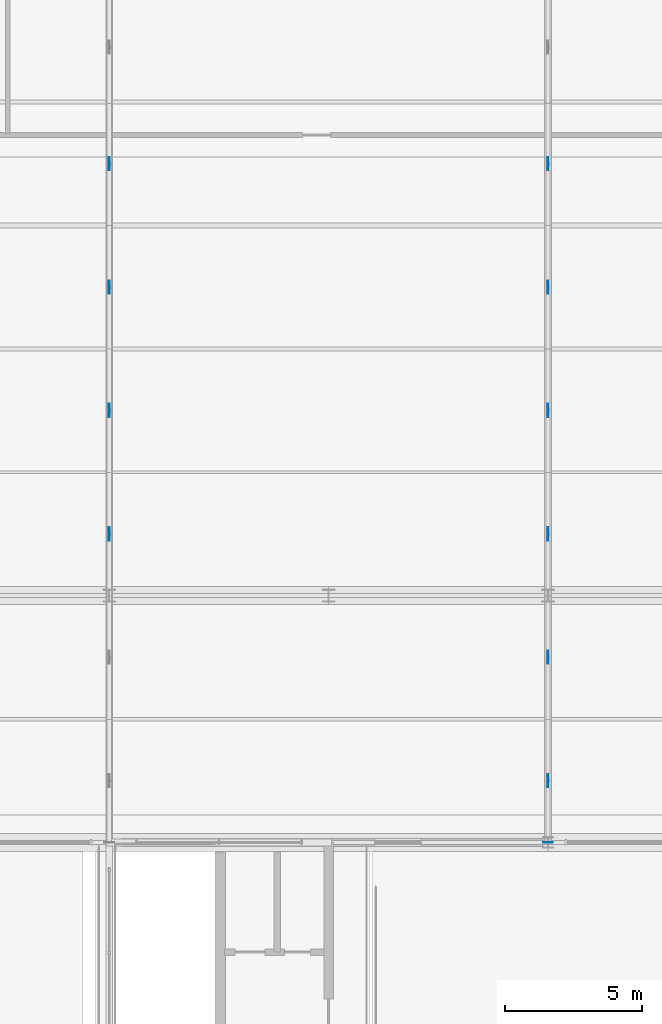
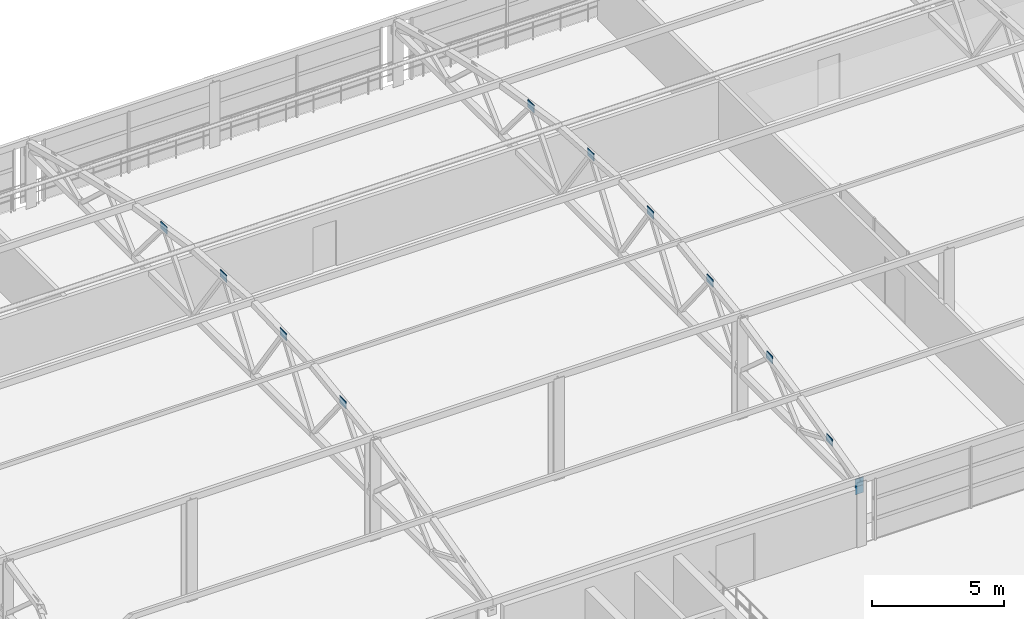
# One storey, part 31 of 50: 12 plates.
"""IFC4 building model written with IfcOpenShell, lengths in metres."""

from ifc_helpers import new_model, si_unit, derived_unit, direction, frame, origin, origin_2d, place, context, subcontext, project, spatial, rectangle, extrude, material, layer, layer_set, type_object, element, save


model = new_model("IFC4")

# Units and contexts
model_context = context("Model", 3, precision=1e-05, world=origin(), true_north=direction((0.0, 1.0)))
body_context = subcontext(model_context, "Body", "Model", "MODEL_VIEW")
ifc_project = project(units=[si_unit("LENGTHUNIT", "METRE"), si_unit("AREAUNIT", "SQUARE_METRE"), si_unit("VOLUMEUNIT", "CUBIC_METRE"), si_unit("PLANEANGLEUNIT", "RADIAN"), si_unit("MASSUNIT", "GRAM", prefix="KILO"), si_unit("THERMODYNAMICTEMPERATUREUNIT", "KELVIN"), derived_unit("THERMALTRANSMITTANCEUNIT", [(si_unit("POWERUNIT", "WATT"), 1), (si_unit("AREAUNIT", "SQUARE_METRE"), -1), (si_unit("THERMODYNAMICTEMPERATUREUNIT", "KELVIN"), -1)])], contexts=[model_context])

# Site, building, storey
site_placement = place(None, origin())
site = spatial("IfcSite", under=ifc_project, at=site_placement, CompositionType="ELEMENT")
building_placement = place(site_placement, origin())
building = spatial("IfcBuilding", under=site, at=building_placement, Name="Haiyu Intermodal Mobility Hub", CompositionType="ELEMENT")
storey_placement = place(building_placement, frame((0.0, 0.0, 25.10009765625)))
storey = spatial("IfcBuildingStorey", under=building, at=storey_placement, Name="L06", CompositionType="ELEMENT", Elevation=25.10009765625)

# Plates
ifc_material = material(Name="Steel Q355C", Category="steel")
ifc_layer_1 = layer(ifc_material, 0.031982421875)
ifc_layer_set_1 = layer_set([ifc_layer_1], Name="Steel Q355C")
plate_type_1 = type_object("IfcPlateType", Name="PLT-GP02-INT", PredefinedType="USERDEFINED", material=ifc_layer_set_1)
for number, where, z_axis, x_axis, name in (
    (1, (78.0, 113.0, 2.6796875), (0.0, 0.0, 1.0), (1.0, 0.0, 0.0), "Pavilion Truss End Cap 4-1"),
    (2, (78.0, 113.0, 2.31982421875), (0.0, 0.0, 1.0), (1.0, 0.0, 0.0), "Pavilion Truss End Cap 4-3"),
):
    element("IfcPlate", number, at=place(storey_placement, frame(where, z_axis=z_axis, x_axis=x_axis)), inside=storey, type_object=plate_type_1, Name=name, ObjectType="GUSSET PLATE", PredefinedType="USERDEFINED", context=body_context, shape_type="SweptSolid", body=[
        extrude(rectangle(XDim=0.360107421875, YDim=0.028076171875, at=origin_2d()), origin(), (0.0, 0.0, 1.0), 0.360107421875),
    ])
ifc_layer_2 = layer(ifc_material, 0.028076171875)
ifc_layer_set_2 = layer_set([ifc_layer_2], Name="Steel Q355C")
plate_type_2 = type_object("IfcPlateType", Name="PLT-GP03", PredefinedType="USERDEFINED", material=ifc_layer_set_2)
for number, where, z_axis, x_axis, name in (
    (3, (62.0, 124.25, 5.13671875), (0.0, 0.0, 1.0), (1.0, 0.0, 0.0), "PLT-PAV-051"),
    (4, (62.0, 128.75, 5.544921875), (0.0, 0.0, 1.0), (1.0, 0.0, 0.0), "PLT-PAV-052"),
    (5, (62.0, 133.25, 5.49169921875), (0.0, 0.0, 1.0), (1.0, 0.0, 0.0), "PLT-PAV-053"),
    (6, (62.0, 137.75, 4.98974609375), (0.0, 0.0, 1.0), (1.0, 0.0, 0.0), "PLT-PAV-054"),
):
    element("IfcPlate", number, at=place(storey_placement, frame(where, z_axis=z_axis, x_axis=x_axis)), inside=storey, type_object=plate_type_2, Name=name, ObjectType="GUSSET PLATE", PredefinedType="USERDEFINED", context=body_context, shape_type="SweptSolid", body=[
        extrude(rectangle(XDim=0.028076171875, YDim=0.47998046875, at=origin_2d()), origin(), (0.0, 0.0, 1.0), 0.340087890625),
    ])
ifc_layer_3 = layer(ifc_material, 0.02587890625)
ifc_layer_set_3 = layer_set([ifc_layer_3], Name="Steel Q355C")
plate_type_3 = type_object("IfcPlateType", Name="PLT-GP06-INT", PredefinedType="USERDEFINED", material=ifc_layer_set_3)
for number, where, z_axis, x_axis, name in (
    (7, (78.0, 115.25, 3.27001953125), (0.0, 0.0, 1.0), (1.0, 0.0, 0.0), "PLT-PAV-057"),
    (8, (78.0, 119.75, 4.3359375), (0.0, 0.0, 1.0), (1.0, 0.0, 0.0), "PLT-PAV-058"),
    (9, (78.0, 124.25, 5.13671875), (0.0, 0.0, 1.0), (1.0, 0.0, 0.0), "PLT-PAV-059"),
    (10, (78.0, 128.75, 5.544921875), (0.0, 0.0, 1.0), (1.0, 0.0, 0.0), "PLT-PAV-060"),
    (11, (78.0, 133.25, 5.49169921875), (0.0, 0.0, 1.0), (1.0, 0.0, 0.0), "PLT-PAV-061"),
    (12, (78.0, 137.75, 4.98974609375), (0.0, 0.0, 1.0), (1.0, 0.0, 0.0), "PLT-PAV-062"),
):
    element("IfcPlate", number, at=place(storey_placement, frame(where, z_axis=z_axis, x_axis=x_axis)), inside=storey, type_object=plate_type_3, Name=name, ObjectType="GUSSET PLATE", PredefinedType="USERDEFINED", context=body_context, shape_type="SweptSolid", body=[
        extrude(rectangle(XDim=0.028076171875, YDim=0.47998046875, at=origin_2d()), origin(), (0.0, 0.0, 1.0), 0.340087890625),
    ])

save(model, "model.ifc")
